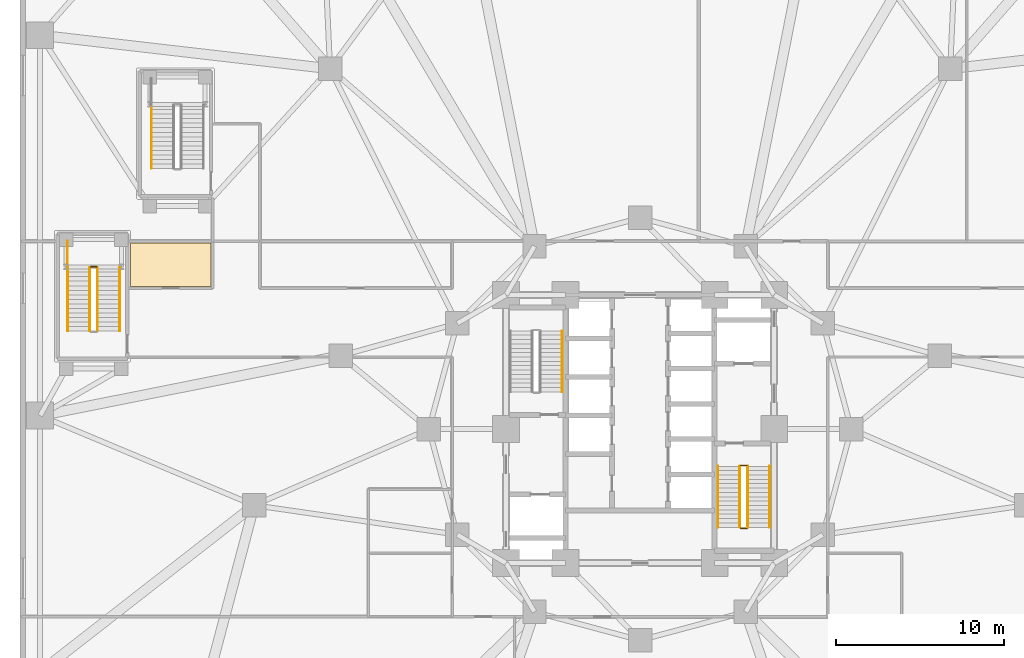
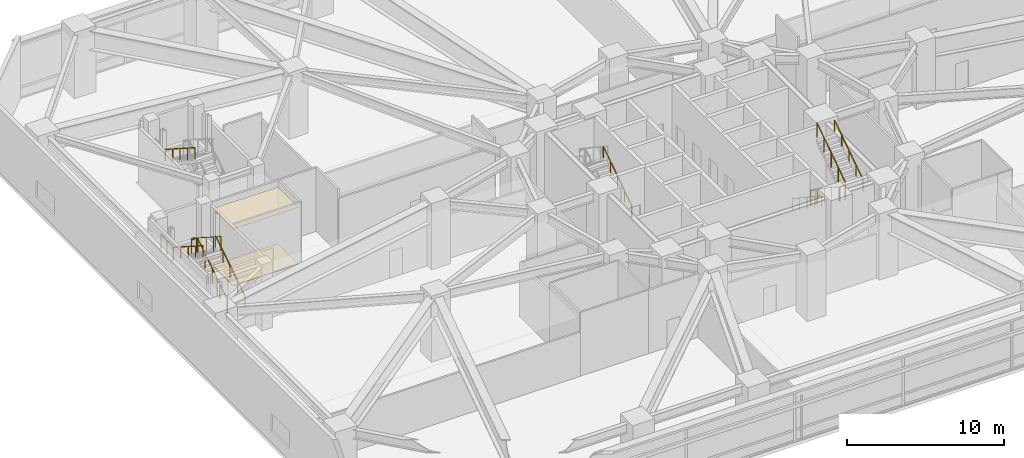
# One storey, part 24 of 27: 14 railings, 2 coverings.
"""IFC4 building model written with IfcOpenShell, lengths in metres."""

from ifc_helpers import new_model, si_unit, direction, frame, origin, origin_2d, place, context, subcontext, project, spatial, polyline, circle, outline, extrude, material, layer, layer_set, type_object, element, save


model = new_model("IFC4")

# Units and contexts
model_context = context("Model", 3, precision=1e-05, world=origin(), true_north=direction((0.0, 1.0)))
body_context = subcontext(model_context, "Body", "Model", "MODEL_VIEW")
ifc_project = project(units=[si_unit("LENGTHUNIT", "METRE"), si_unit("AREAUNIT", "SQUARE_METRE"), si_unit("VOLUMEUNIT", "CUBIC_METRE"), si_unit("PLANEANGLEUNIT", "RADIAN"), si_unit("MASSUNIT", "GRAM", prefix="KILO")], contexts=[model_context])

# Site, building, storey
site_placement = place(None, origin())
site = spatial("IfcSite", under=ifc_project, at=site_placement, CompositionType="ELEMENT")
building_placement = place(site_placement, origin())
building = spatial("IfcBuilding", under=site, at=building_placement, Name="Terralouvre Media Tower", CompositionType="ELEMENT")
storey_placement = place(building_placement, frame((0.0, 0.0, 15.60009765625)))
storey = spatial("IfcBuildingStorey", under=building, at=storey_placement, Name="L03", CompositionType="ELEMENT", Elevation=15.60009765625)

# Coverings
ifc_material_1 = material(Name="Resilient elastomer acoustic broadcast studio flooring")
ifc_layer_1 = layer(ifc_material_1, 0.050048828125, Name="Broadcast Studio Acoustic Floating Floor FL-AC1")
ifc_layer_set_1 = layer_set([ifc_layer_1], Name="Resilient elastomer acoustic broadcast studio flooring")
covering_type_1 = type_object("IfcCoveringType", Name="Broadcast Studio Acoustic Floating Floor FL-AC1", PredefinedType="FLOORING", material=ifc_layer_set_1)
covering_1_placement = place(storey_placement, origin())
element("IfcCovering", 1, at=covering_1_placement, inside=storey, type_object=covering_type_1, Name="L03 L03 Press Conference Auditorium 11 Acoustic Floating Floor", PredefinedType="FLOORING", context=body_context, shape_type="SweptSolid", body=[
    extrude(outline(polyline([(-25.60009765625, 11.10009765625), (-30.39990234375, 11.10009765625), (-30.39990234375, 8.5), (-25.60009765625, 8.5), (-25.60009765625, 11.10009765625)])), origin(), (0.0, 0.0, 1.0), 0.0498046875),
])
ifc_material_2 = material(Name="Perforated aluminium acoustic ceiling baffle", Category="aluminium")
ifc_layer_2 = layer(ifc_material_2, 0.0400390625, Name="Perforated Acoustic Metal Tile Ceiling CL-AC1")
ifc_layer_set_2 = layer_set([ifc_layer_2], Name="Perforated aluminium acoustic ceiling baffle")
covering_type_2 = type_object("IfcCoveringType", Name="Perforated Acoustic Metal Tile Ceiling CL-AC1", PredefinedType="CEILING", material=ifc_layer_set_2)
covering_2_placement = place(storey_placement, frame((0.0, 0.0, 4.429931640625)))
element("IfcCovering", 2, at=covering_2_placement, inside=storey, type_object=covering_type_2, Name="L03 L03 Press Conference Auditorium 11 Acoustic Ceiling", PredefinedType="CEILING", context=body_context, shape_type="SweptSolid", body=[
    extrude(outline(polyline([(-25.60009765625, 11.10009765625), (-30.39990234375, 11.10009765625), (-30.39990234375, 8.5), (-25.60009765625, 8.5), (-25.60009765625, 11.10009765625)])), origin(), (0.0, 0.0, 1.0), 0.0400390625),
])

# Railings
ifc_material_3 = material(Name="Stainless steel 316 handrail and balustrade", Category="steel")
ifc_layer_3 = layer(ifc_material_3, 0.050048828125, Name="Stair Flight Wall Handrail HR-INT1")
ifc_layer_set_3 = layer_set([ifc_layer_3], Name="Stainless steel 316 handrail and balustrade")
railing_type_1 = type_object("IfcRailingType", Name="Stair Flight Wall Handrail HR-INT1", PredefinedType="HANDRAIL", material=ifc_layer_set_3)
railing_1_placement = place(storey_placement, frame((-4.64990234375, 2.219970703125, 0.17333984375)))
element("IfcRailing", 3, at=railing_1_placement, inside=storey, type_object=railing_type_1, Name="L03 ST-01 stair handrail 1", PredefinedType="HANDRAIL", context=body_context, shape_type="SweptSolid", body=[
    extrude(circle(Radius=0.02392578125, at=origin_2d()), frame((0.0, 0.0, 0.8759765625), z_axis=(0.0, 0.832076050322, 0.554661560305), x_axis=(-1.0, 0.0, 0.0)), (0.0, 0.0, 1.0), 4.374755859375),
    extrude(circle(Radius=0.02099609375, at=origin_2d()), origin(), (0.0, 0.0, 1.0), 0.851806640625),
    extrude(circle(Radius=0.02099609375, at=origin_2d()), frame((0.0, 0.91015625, 0.606689453125)), (0.0, 0.0, 1.0), 0.851806640625),
    extrude(circle(Radius=0.02099609375, at=origin_2d()), frame((0.0, 1.820068359375, 1.21337890625)), (0.0, 0.0, 1.0), 0.851806640625),
    extrude(circle(Radius=0.02099609375, at=origin_2d()), frame((0.0, 2.72998046875, 1.81982421875)), (0.0, 0.0, 1.0), 0.851806640625),
    extrude(circle(Radius=0.02099609375, at=origin_2d()), frame((0.0, 3.64013671875, 2.426513671875)), (0.0, 0.0, 1.0), 0.851806640625),
])
railing_2_placement = place(storey_placement, frame((4.64990234375, -2.219970703125, 0.17333984375)))
element("IfcRailing", 4, at=railing_2_placement, inside=storey, type_object=railing_type_1, Name="L03 ST-02 stair handrail 1", PredefinedType="HANDRAIL", context=body_context, shape_type="SweptSolid", body=[
    extrude(circle(Radius=0.02392578125, at=origin_2d()), frame((0.0, 0.0, 0.8759765625), z_axis=(0.0, -0.832076050322, 0.554661560305), x_axis=(1.0, 0.0, 0.0)), (0.0, 0.0, 1.0), 4.374755859375),
    extrude(circle(Radius=0.02099609375, at=origin_2d()), origin(), (0.0, 0.0, 1.0), 0.851806640625),
    extrude(circle(Radius=0.02099609375, at=origin_2d()), frame((0.0, -0.91015625, 0.606689453125)), (0.0, 0.0, 1.0), 0.851806640625),
    extrude(circle(Radius=0.02099609375, at=origin_2d()), frame((0.0, -1.820068359375, 1.21337890625)), (0.0, 0.0, 1.0), 0.851806640625),
    extrude(circle(Radius=0.02099609375, at=origin_2d()), frame((0.0, -2.72998046875, 1.81982421875)), (0.0, 0.0, 1.0), 0.851806640625),
    extrude(circle(Radius=0.02099609375, at=origin_2d()), frame((0.0, -3.64013671875, 2.426513671875)), (0.0, 0.0, 1.0), 0.851806640625),
])
railing_3_placement = place(storey_placement, frame((7.72998046875, -5.860107421875, 2.773193359375)))
element("IfcRailing", 5, at=railing_3_placement, inside=storey, type_object=railing_type_1, Name="L03 ST-02 stair handrail 2", PredefinedType="HANDRAIL", context=body_context, shape_type="SweptSolid", body=[
    extrude(circle(Radius=0.02392578125, at=origin_2d()), frame((0.0, 0.0, 0.8759765625), z_axis=(0.0, 0.832050294338, 0.554700196225), x_axis=(-1.0, 0.0, 0.0)), (0.0, 0.0, 1.0), 4.375),
    extrude(circle(Radius=0.02099609375, at=origin_2d()), origin(), (0.0, 0.0, 1.0), 0.851806640625),
    extrude(circle(Radius=0.02099609375, at=origin_2d()), frame((0.0, 0.91015625, 0.606689453125)), (0.0, 0.0, 1.0), 0.851806640625),
    extrude(circle(Radius=0.02099609375, at=origin_2d()), frame((0.0, 1.820068359375, 1.21337890625)), (0.0, 0.0, 1.0), 0.851806640625),
    extrude(circle(Radius=0.02099609375, at=origin_2d()), frame((0.0, 2.72998046875, 1.820068359375)), (0.0, 0.0, 1.0), 0.851806640625),
    extrude(circle(Radius=0.02099609375, at=origin_2d()), frame((0.0, 3.64013671875, 2.4267578125)), (0.0, 0.0, 1.0), 0.851806640625),
])
railing_4_placement = place(storey_placement, frame((-31.050048828125, 5.85009765625, 0.17333984375)))
element("IfcRailing", 6, at=railing_4_placement, inside=storey, type_object=railing_type_1, Name="L03 ST-03 stair handrail 1", PredefinedType="HANDRAIL", context=body_context, shape_type="SweptSolid", body=[
    extrude(circle(Radius=0.02392578125, at=origin_2d()), frame((0.0, 0.0, 0.8759765625), z_axis=(0.0, 0.84151738831, 0.540230029868), x_axis=(-1.0, 0.0, 0.0)), (0.0, 0.0, 1.0), 4.49169921875),
    extrude(circle(Radius=0.02099609375, at=origin_2d()), origin(), (0.0, 0.0, 1.0), 0.851806640625),
    extrude(circle(Radius=0.02099609375, at=origin_2d()), frame((0.0, 0.94482421875, 0.606689453125)), (0.0, 0.0, 1.0), 0.851806640625),
    extrude(circle(Radius=0.02099609375, at=origin_2d()), frame((0.0, 1.889892578125, 1.21337890625)), (0.0, 0.0, 1.0), 0.851806640625),
    extrude(circle(Radius=0.02099609375, at=origin_2d()), frame((0.0, 2.8349609375, 1.81982421875)), (0.0, 0.0, 1.0), 0.851806640625),
    extrude(circle(Radius=0.02099609375, at=origin_2d()), frame((0.0, 3.77978515625, 2.426513671875)), (0.0, 0.0, 1.0), 0.851806640625),
])
railing_5_placement = place(storey_placement, frame((-34.14990234375, 9.6298828125, 2.773193359375)))
element("IfcRailing", 7, at=railing_5_placement, inside=storey, type_object=railing_type_1, Name="L03 ST-03 stair handrail 2", PredefinedType="HANDRAIL", context=body_context, shape_type="SweptSolid", body=[
    extrude(circle(Radius=0.02392578125, at=origin_2d()), frame((0.0, 0.0, 0.8759765625), z_axis=(0.0, -0.841492677865, 0.540268519441), x_axis=(1.0, 0.0, 0.0)), (0.0, 0.0, 1.0), 4.49169921875),
    extrude(circle(Radius=0.02099609375, at=origin_2d()), origin(), (0.0, 0.0, 1.0), 0.851806640625),
    extrude(circle(Radius=0.02099609375, at=origin_2d()), frame((0.0, -0.94482421875, 0.606689453125)), (0.0, 0.0, 1.0), 0.851806640625),
    extrude(circle(Radius=0.02099609375, at=origin_2d()), frame((0.0, -1.889892578125, 1.21337890625)), (0.0, 0.0, 1.0), 0.851806640625),
    extrude(circle(Radius=0.02099609375, at=origin_2d()), frame((0.0, -2.8349609375, 1.820068359375)), (0.0, 0.0, 1.0), 0.851806640625),
    extrude(circle(Radius=0.02099609375, at=origin_2d()), frame((0.0, -3.77978515625, 2.4267578125)), (0.0, 0.0, 1.0), 0.851806640625),
])
railing_6_placement = place(storey_placement, frame((-29.14990234375, 19.330078125, 2.773193359375)))
element("IfcRailing", 8, at=railing_6_placement, inside=storey, type_object=railing_type_1, Name="L03 ST-06 stair handrail 2", PredefinedType="HANDRAIL", context=body_context, shape_type="SweptSolid", body=[
    extrude(circle(Radius=0.02392578125, at=origin_2d()), frame((0.0, 0.0, 0.8759765625), z_axis=(0.0, -0.841508541869, 0.540243809739), x_axis=(1.0, 0.0, 0.0)), (0.0, 0.0, 1.0), 4.491943359375),
    extrude(circle(Radius=0.02099609375, at=origin_2d()), origin(), (0.0, 0.0, 1.0), 0.851806640625),
    extrude(circle(Radius=0.02099609375, at=origin_2d()), frame((0.0, -0.945068359375, 0.606689453125)), (0.0, 0.0, 1.0), 0.851806640625),
    extrude(circle(Radius=0.02099609375, at=origin_2d()), frame((0.0, -1.89013671875, 1.21337890625)), (0.0, 0.0, 1.0), 0.851806640625),
    extrude(circle(Radius=0.02099609375, at=origin_2d()), frame((0.0, -2.8349609375, 1.820068359375)), (0.0, 0.0, 1.0), 0.851806640625),
    extrude(circle(Radius=0.02099609375, at=origin_2d()), frame((0.0, -3.780029296875, 2.4267578125)), (0.0, 0.0, 1.0), 0.851806640625),
])
ifc_material_4 = material(Name="Stainless steel 316 handrail and balustrade", Category="steel")
ifc_layer_4 = layer(ifc_material_4, 0.050048828125, Name="Stairwell Safety Guardrail GR-INT1")
ifc_layer_set_4 = layer_set([ifc_layer_4], Name="Stainless steel 316 handrail and balustrade")
railing_type_2 = type_object("IfcRailingType", Name="Stairwell Safety Guardrail GR-INT1", PredefinedType="GUARDRAIL", material=ifc_layer_set_4)
railing_7_placement = place(storey_placement, frame((5.949951171875, -2.219970703125, 0.17333984375)))
element("IfcRailing", 9, at=railing_7_placement, inside=storey, type_object=railing_type_2, Name="L03 ST-02 stair guard 1", PredefinedType="GUARDRAIL", context=body_context, shape_type="SweptSolid", body=[
    extrude(circle(Radius=0.02392578125, at=origin_2d()), frame((0.0, 0.0, 1.1259765625), z_axis=(0.0, -0.832076050322, 0.554661560305), x_axis=(1.0, 0.0, 0.0)), (0.0, 0.0, 1.0), 4.374755859375),
    extrude(circle(Radius=0.02099609375, at=origin_2d()), origin(), (0.0, 0.0, 1.0), 1.101806640625),
    extrude(circle(Radius=0.02099609375, at=origin_2d()), frame((0.0, -0.91015625, 0.606689453125)), (0.0, 0.0, 1.0), 1.101806640625),
    extrude(circle(Radius=0.02099609375, at=origin_2d()), frame((0.0, -1.820068359375, 1.21337890625)), (0.0, 0.0, 1.0), 1.101806640625),
    extrude(circle(Radius=0.02099609375, at=origin_2d()), frame((0.0, -2.72998046875, 1.81982421875)), (0.0, 0.0, 1.0), 1.101806640625),
    extrude(circle(Radius=0.02099609375, at=origin_2d()), frame((0.0, -3.64013671875, 2.426513671875)), (0.0, 0.0, 1.0), 1.101806640625),
])
railing_8_placement = place(storey_placement, frame((6.0, -5.909912109375, 2.599853515625)))
element("IfcRailing", 10, at=railing_8_placement, inside=storey, type_object=railing_type_2, Name="L03 ST-02 stair guard 2", PredefinedType="GUARDRAIL", context=body_context, shape_type="SweptSolid", body=[
    extrude(circle(Radius=0.02392578125, at=origin_2d()), frame((0.0, 0.0, 1.1259765625), z_axis=(1.0, 0.0, 0.0), x_axis=(0.0, 1.0, 0.0)), (0.0, 0.0, 1.0), 0.3798828125),
    extrude(circle(Radius=0.02099609375, at=origin_2d()), origin(), (0.0, 0.0, 1.0), 1.101806640625),
    extrude(circle(Radius=0.02099609375, at=origin_2d()), frame((0.3798828125, 0.0, 0.0)), (0.0, 0.0, 1.0), 1.101806640625),
])
railing_9_placement = place(storey_placement, frame((6.429931640625, -5.860107421875, 2.773193359375)))
element("IfcRailing", 11, at=railing_9_placement, inside=storey, type_object=railing_type_2, Name="L03 ST-02 stair guard 3", PredefinedType="GUARDRAIL", context=body_context, shape_type="SweptSolid", body=[
    extrude(circle(Radius=0.02392578125, at=origin_2d()), frame((0.0, 0.0, 1.1259765625), z_axis=(0.0, 0.832050294338, 0.554700196225), x_axis=(-1.0, 0.0, 0.0)), (0.0, 0.0, 1.0), 4.375),
    extrude(circle(Radius=0.02099609375, at=origin_2d()), origin(), (0.0, 0.0, 1.0), 1.101806640625),
    extrude(circle(Radius=0.02099609375, at=origin_2d()), frame((0.0, 0.91015625, 0.606689453125)), (0.0, 0.0, 1.0), 1.101806640625),
    extrude(circle(Radius=0.02099609375, at=origin_2d()), frame((0.0, 1.820068359375, 1.21337890625)), (0.0, 0.0, 1.0), 1.101806640625),
    extrude(circle(Radius=0.02099609375, at=origin_2d()), frame((0.0, 2.72998046875, 1.820068359375)), (0.0, 0.0, 1.0), 1.101806640625),
    extrude(circle(Radius=0.02099609375, at=origin_2d()), frame((0.0, 3.64013671875, 2.4267578125)), (0.0, 0.0, 1.0), 1.101806640625),
])
railing_10_placement = place(storey_placement, frame((6.0, -2.169921875, 0.0)))
element("IfcRailing", 12, at=railing_10_placement, inside=storey, type_object=railing_type_2, Name="L03 ST-02 stair guard 4", PredefinedType="GUARDRAIL", context=body_context, shape_type="SweptSolid", body=[
    extrude(circle(Radius=0.02392578125, at=origin_2d()), frame((0.0, 0.0, 1.1259765625), z_axis=(1.0, 0.0, 0.0), x_axis=(0.0, 1.0, 0.0)), (0.0, 0.0, 1.0), 0.3798828125),
    extrude(circle(Radius=0.02099609375, at=origin_2d()), origin(), (0.0, 0.0, 1.0), 1.101806640625),
    extrude(circle(Radius=0.02099609375, at=origin_2d()), frame((0.3798828125, 0.0, 0.0)), (0.0, 0.0, 1.0), 1.101806640625),
])
railing_11_placement = place(storey_placement, frame((-32.3701171875, 5.85009765625, 0.17333984375)))
element("IfcRailing", 13, at=railing_11_placement, inside=storey, type_object=railing_type_2, Name="L03 ST-03 stair guard 1", PredefinedType="GUARDRAIL", context=body_context, shape_type="SweptSolid", body=[
    extrude(circle(Radius=0.02392578125, at=origin_2d()), frame((0.0, 0.0, 1.1259765625), z_axis=(0.0, 0.84151738831, 0.540230029868), x_axis=(-1.0, 0.0, 0.0)), (0.0, 0.0, 1.0), 4.49169921875),
    extrude(circle(Radius=0.02099609375, at=origin_2d()), origin(), (0.0, 0.0, 1.0), 1.101806640625),
    extrude(circle(Radius=0.02099609375, at=origin_2d()), frame((0.0, 0.94482421875, 0.606689453125)), (0.0, 0.0, 1.0), 1.101806640625),
    extrude(circle(Radius=0.02099609375, at=origin_2d()), frame((0.0, 1.889892578125, 1.21337890625)), (0.0, 0.0, 1.0), 1.101806640625),
    extrude(circle(Radius=0.02099609375, at=origin_2d()), frame((0.0, 2.8349609375, 1.81982421875)), (0.0, 0.0, 1.0), 1.101806640625),
    extrude(circle(Radius=0.02099609375, at=origin_2d()), frame((0.0, 3.77978515625, 2.426513671875)), (0.0, 0.0, 1.0), 1.101806640625),
])
railing_12_placement = place(storey_placement, frame((-32.419921875, 9.679931640625, 2.599853515625)))
element("IfcRailing", 14, at=railing_12_placement, inside=storey, type_object=railing_type_2, Name="L03 ST-03 stair guard 2", PredefinedType="GUARDRAIL", context=body_context, shape_type="SweptSolid", body=[
    extrude(circle(Radius=0.02392578125, at=origin_2d()), frame((0.0, 0.0, 1.1259765625), z_axis=(-1.0, 0.0, 0.0), x_axis=(0.0, -1.0, 0.0)), (0.0, 0.0, 1.0), 0.360107421875),
    extrude(circle(Radius=0.02099609375, at=origin_2d()), origin(), (0.0, 0.0, 1.0), 1.101806640625),
    extrude(circle(Radius=0.02099609375, at=origin_2d()), frame((-0.360107421875, 0.0, 0.0)), (0.0, 0.0, 1.0), 1.101806640625),
])
railing_13_placement = place(storey_placement, frame((-32.830078125, 9.6298828125, 2.773193359375)))
element("IfcRailing", 15, at=railing_13_placement, inside=storey, type_object=railing_type_2, Name="L03 ST-03 stair guard 3", PredefinedType="GUARDRAIL", context=body_context, shape_type="SweptSolid", body=[
    extrude(circle(Radius=0.02392578125, at=origin_2d()), frame((0.0, 0.0, 1.1259765625), z_axis=(0.0, -0.841492677865, 0.540268519441), x_axis=(1.0, 0.0, 0.0)), (0.0, 0.0, 1.0), 4.49169921875),
    extrude(circle(Radius=0.02099609375, at=origin_2d()), origin(), (0.0, 0.0, 1.0), 1.101806640625),
    extrude(circle(Radius=0.02099609375, at=origin_2d()), frame((0.0, -0.94482421875, 0.606689453125)), (0.0, 0.0, 1.0), 1.101806640625),
    extrude(circle(Radius=0.02099609375, at=origin_2d()), frame((0.0, -1.889892578125, 1.21337890625)), (0.0, 0.0, 1.0), 1.101806640625),
    extrude(circle(Radius=0.02099609375, at=origin_2d()), frame((0.0, -2.8349609375, 1.820068359375)), (0.0, 0.0, 1.0), 1.101806640625),
    extrude(circle(Radius=0.02099609375, at=origin_2d()), frame((0.0, -3.77978515625, 2.4267578125)), (0.0, 0.0, 1.0), 1.101806640625),
])
railing_14_placement = place(storey_placement, frame((-34.159912109375, 9.669921875, 2.599853515625)))
element("IfcRailing", 16, at=railing_14_placement, inside=storey, type_object=railing_type_2, Name="L03 ST-03 Half-Landing Outer Guardrail", PredefinedType="GUARDRAIL", context=body_context, shape_type="SweptSolid", body=[
    extrude(circle(Radius=0.02392578125, at=origin_2d()), frame((0.0, 0.0, 1.1259765625), z_axis=(0.0, 1.0, 0.0), x_axis=(-1.0, 0.0, 0.0)), (0.0, 0.0, 1.0), 1.5400390625),
    extrude(circle(Radius=0.02099609375, at=origin_2d()), origin(), (0.0, 0.0, 1.0), 1.101806640625),
    extrude(circle(Radius=0.02099609375, at=origin_2d()), frame((0.0, 0.77001953125, 0.0)), (0.0, 0.0, 1.0), 1.101806640625),
    extrude(circle(Radius=0.02099609375, at=origin_2d()), frame((0.0, 1.5400390625, 0.0)), (0.0, 0.0, 1.0), 1.101806640625),
])

save(model, "model.ifc")
